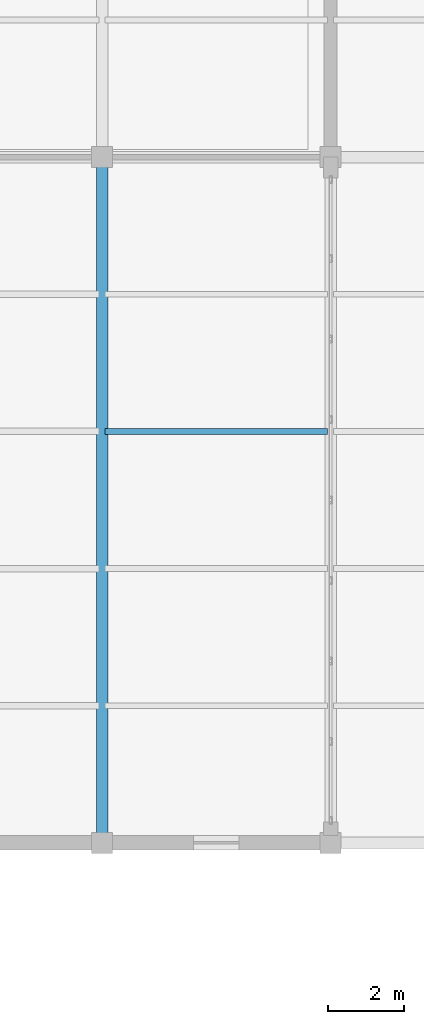
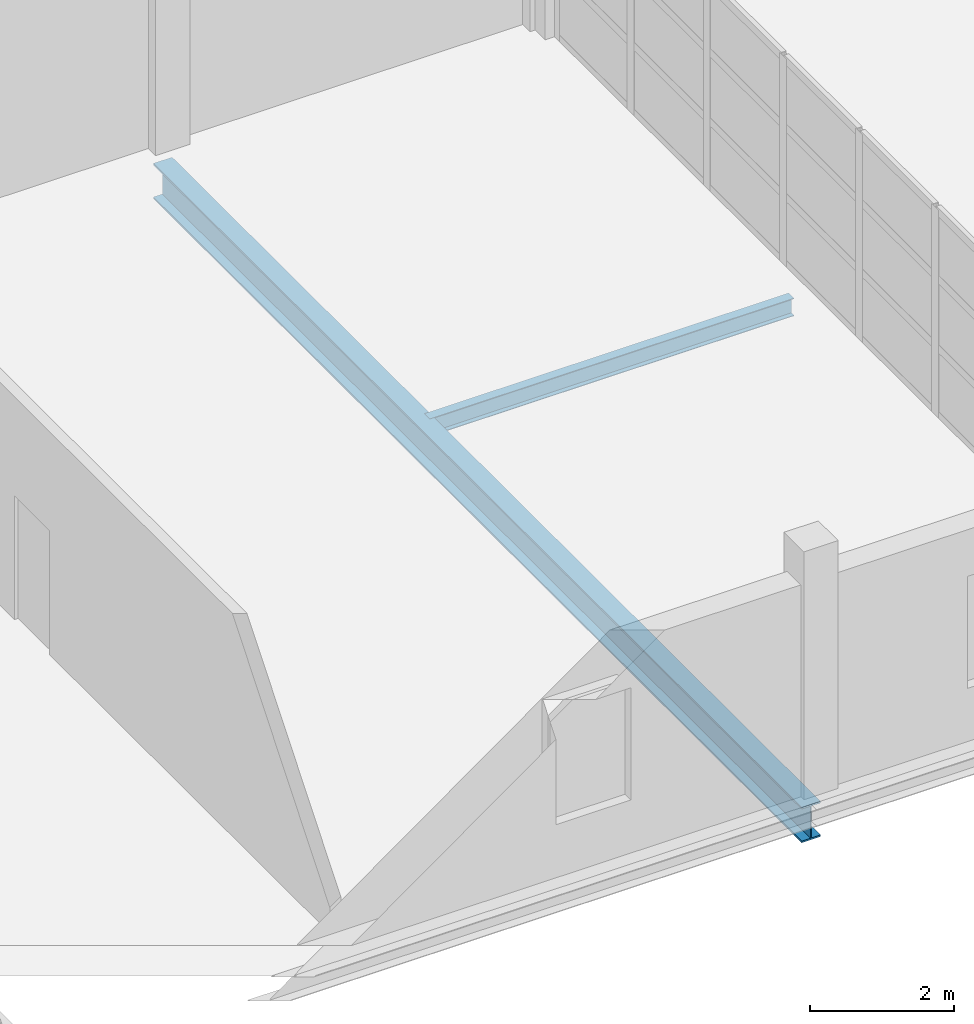
# One storey, part 10 of 86: 2 beams.
"""IFC4 building model written with IfcOpenShell, lengths in metres."""

import ifcopenshell
import ifcopenshell.guid

model = None  # the IFC model being written
_history = None  # IfcOwnerHistory: only IFC2X3 demands one
_inside = {}  # id of a spatial element -> (the spatial element, [elements in it])
_under = {}  # id of a project, library or spatial element -> (it, [spatial elements below it])
_declared = {}  # id of a project -> (the project, [libraries it declares])
_typed = {}  # id of a type object -> (the type object, [elements of that type])
_made_of = {}  # id of a material, layer set ... -> (it, [elements and type objects made of it])


def new_model(schema):
    """Start an empty IFC model of exactly this schema.

    Asked for "IFC4X3", IfcOpenShell would pick the latest addendum, in which some entities
    have other attributes; the version numbers below select the first issue.
    IFC2X3 requires an IfcOwnerHistory on every rooted entity: one is made here for all.
    """
    global model, _history
    if schema == "IFC4X3":
        model = ifcopenshell.file(schema_version=(4, 3, 0, 0))
    else:
        model = ifcopenshell.file(schema=schema)
    _inside.clear()
    _under.clear()
    _declared.clear()
    _typed.clear()
    _made_of.clear()
    _history = None
    if model.schema == "IFC2X3":
        org = make("IfcOrganization", Name="unknown")
        user = make(
            "IfcPersonAndOrganization",
            ThePerson=make("IfcPerson", FamilyName="unknown"),
            TheOrganization=org,
        )
        app = make(
            "IfcApplication",
            ApplicationDeveloper=org,
            Version="unknown",
            ApplicationFullName="unknown",
            ApplicationIdentifier="unknown",
        )
        _history = make(
            "IfcOwnerHistory",
            OwningUser=user,
            OwningApplication=app,
            ChangeAction="ADDED",
            CreationDate=0,
        )
    return model


def make(cls, **values):
    """One entity of the class cls with the attributes given. An attribute that is None is left unset."""
    return model.create_entity(
        cls, **{name: value for name, value in values.items() if value is not None}
    )


def rooted(cls, **values):
    """An entity with a GlobalId (a new one), such as an element, a storey or a relation."""
    return make(cls, GlobalId=ifcopenshell.guid.new(), OwnerHistory=_history, **values)


def si_unit(unit_type, name, prefix=None):
    """IfcSIUnit, for example si_unit("LENGTHUNIT", "METRE", prefix="MILLI")."""
    return make("IfcSIUnit", UnitType=unit_type, Prefix=prefix, Name=name)


def assignment(units):
    """IfcUnitAssignment: the units of a project."""
    return None if units is None else make("IfcUnitAssignment", Units=units)


def point(xyz):
    """IfcCartesianPoint."""
    return None if xyz is None else make("IfcCartesianPoint", Coordinates=xyz)


def direction(xyz):
    """IfcDirection."""
    return None if xyz is None else make("IfcDirection", DirectionRatios=xyz)


def frame(location, z_axis=None, x_axis=None):
    """IfcAxis2Placement3D, a coordinate frame: its origin and axes. An axis left out is left unset."""
    return make(
        "IfcAxis2Placement3D",
        Location=point(location),
        Axis=direction(z_axis),
        RefDirection=direction(x_axis),
    )


def frame_2d(location, x_axis=None):
    """IfcAxis2Placement2D, a coordinate frame in the plane: its origin and x axis."""
    return make(
        "IfcAxis2Placement2D", Location=point(location), RefDirection=direction(x_axis)
    )


def origin():
    """The frame at (0, 0, 0) with its axes left unset."""
    return frame((0.0, 0.0, 0.0))


def origin_2d():
    """The frame at (0, 0) in the plane with its x axis left unset."""
    return frame_2d((0.0, 0.0))


def place(relative_to, where):
    """IfcLocalPlacement: puts the frame where relative to a parent placement (None: the world)."""
    return make(
        "IfcLocalPlacement", PlacementRelTo=relative_to, RelativePlacement=where
    )


def context(
    kind, dimensions, precision=None, world=None, true_north=None, identifier=None
):
    """IfcGeometricRepresentationContext, for example the 3D "Model" context."""
    return make(
        "IfcGeometricRepresentationContext",
        ContextIdentifier=identifier,
        ContextType=kind,
        CoordinateSpaceDimension=dimensions,
        Precision=precision,
        WorldCoordinateSystem=world,
        TrueNorth=true_north,
    )


def subcontext(parent, identifier, kind, view, scale=None):
    """IfcGeometricRepresentationSubContext, for example "Body" below "Model"."""
    return make(
        "IfcGeometricRepresentationSubContext",
        ContextIdentifier=identifier,
        ContextType=kind,
        ParentContext=parent,
        TargetScale=scale,
        TargetView=view,
    )


def project(units=None, contexts=None):
    """IfcProject with its units and contexts."""
    return rooted(
        "IfcProject",
        Name="project",
        RepresentationContexts=contexts,
        UnitsInContext=assignment(units),
    )


def spatial(cls, under=None, at=None, **own):
    """A site, building, storey or space (cls), placed at a placement, below another one or the project."""
    s = rooted(cls, ObjectPlacement=at, **own)
    if under is not None:
        _under.setdefault(under.id(), (under, []))[1].append(s)
    return s


def profile(cls, at=None, kind="AREA", **sizes):
    """A parametric profile (cls). Its sizes go by their IFC names, for example OverallWidth=200.0."""
    return make(cls, ProfileType=kind, Position=at, **sizes)


def i_section(**sizes):
    """IfcIShapeProfileDef."""
    return profile("IfcIShapeProfileDef", **sizes)


def extrude(swept, where, along, depth):
    """IfcExtrudedAreaSolid: the profile swept, set in the frame where, extruded along a direction by depth."""
    return make(
        "IfcExtrudedAreaSolid",
        SweptArea=swept,
        Position=where,
        ExtrudedDirection=direction(along),
        Depth=depth,
    )


def shape(context_of_items, identifier, shape_type, items):
    """IfcShapeRepresentation: the items that make up one representation, for example the "Body"."""
    return make(
        "IfcShapeRepresentation",
        ContextOfItems=context_of_items,
        RepresentationIdentifier=identifier,
        RepresentationType=shape_type,
        Items=items,
    )


def material(Name=None, Category=None):
    """IfcMaterial."""
    return make("IfcMaterial", Name=Name, Category=Category)


def material_profile(
    of_material, cross_section, Name=None, Category=None, Priority=None
):
    """IfcMaterialProfile: a cross section and its material."""
    return make(
        "IfcMaterialProfile",
        Name=Name,
        Material=of_material,
        Profile=cross_section,
        Priority=Priority,
        Category=Category,
    )


def profile_set(profiles, Name=None, composite=None):
    """IfcMaterialProfileSet."""
    return make(
        "IfcMaterialProfileSet",
        Name=Name,
        MaterialProfiles=profiles,
        CompositeProfile=composite,
    )


def made_of(thing, what):
    """Note that an element or type object is made of a material, layer set ...; save() writes the relation."""
    if what is not None:
        _made_of.setdefault(what.id(), (what, []))[1].append(thing)
    return thing


def type_object(cls, material=None, **own):
    """A type object (cls), such as IfcWallType, which elements share."""
    return made_of(rooted(cls, **own), material)


def element(
    cls,
    number,
    at=None,
    inside=None,
    cuts=None,
    type_object=None,
    material=None,
    context=None,
    identifier="Body",
    shape_type=None,
    held_by="IfcProductDefinitionShape",
    body=None,
    shapes=None,
    **own,
):
    """One element of the class cls, such as IfcWall. Its Tag is "e" and its number.

    at: its placement. inside: the storey or other place that contains it. cuts: it is an
    opening in that element (IfcRelVoidsElement). A single representation is given by context,
    identifier, shape_type and body (its items); several are given by shapes. held_by: the class
    of the entity that holds the representations. save() writes the other relations.
    """
    e = rooted(cls, Tag="e%d" % number, ObjectPlacement=at, **own)
    if body is not None:
        shapes = [shape(context, identifier, shape_type, body)]
    if shapes is not None:
        e.Representation = make(held_by, Representations=shapes)
    if inside is not None:
        _inside.setdefault(inside.id(), (inside, []))[1].append(e)
    if cuts is not None:
        rooted(
            "IfcRelVoidsElement", RelatingBuildingElement=cuts, RelatedOpeningElement=e
        )
    if type_object is not None:
        _typed.setdefault(type_object.id(), (type_object, []))[1].append(e)
    return made_of(e, material)


def aggregate(whole, parts):
    """IfcRelAggregates: a whole, such as a stair, and the parts it consists of."""
    return rooted("IfcRelAggregates", RelatingObject=whole, RelatedObjects=parts)


def save(model, path):
    """Write the relations noted so far, then the file.

    IfcRelAggregates (storeys below a building ...), IfcRelContainedInSpatialStructure (elements
    in a storey), IfcRelDefinesByType, IfcRelAssociatesMaterial and IfcRelDeclares: one each for
    every whole, place, type object, material and project.
    """
    for whole, parts in _under.values():
        aggregate(whole, parts)
    for where, things in _inside.values():
        rooted(
            "IfcRelContainedInSpatialStructure",
            RelatedElements=things,
            RelatingStructure=where,
        )
    for kind, things in _typed.values():
        rooted("IfcRelDefinesByType", RelatedObjects=things, RelatingType=kind)
    for what, things in _made_of.values():
        rooted("IfcRelAssociatesMaterial", RelatedObjects=things, RelatingMaterial=what)
    for by, libraries in _declared.values():
        rooted("IfcRelDeclares", RelatingContext=by, RelatedDefinitions=libraries)
    model.write(path)


model = new_model("IFC4")

# Units and contexts
model_context = context("Model", 3, precision=1e-05, world=origin(), true_north=direction((0.0, 1.0)))
body_context = subcontext(model_context, "Body", "Model", "MODEL_VIEW")
ifc_project = project(units=[si_unit("LENGTHUNIT", "METRE"), si_unit("AREAUNIT", "SQUARE_METRE"), si_unit("VOLUMEUNIT", "CUBIC_METRE"), si_unit("PLANEANGLEUNIT", "RADIAN"), si_unit("MASSUNIT", "GRAM", prefix="KILO")], contexts=[model_context])

# Site, building, storey
site_placement = place(None, origin())
site = spatial("IfcSite", under=ifc_project, at=site_placement, CompositionType="ELEMENT")
building_placement = place(site_placement, origin())
building = spatial("IfcBuilding", under=site, at=building_placement, Name="Zilviju Railside Exhibition Hall", CompositionType="ELEMENT")
storey_placement = place(building_placement, frame((0.0, 0.0, 12.60009765625)))
storey = spatial("IfcBuildingStorey", under=building, at=storey_placement, Name="L04", CompositionType="ELEMENT", Elevation=12.60009765625)

# Beams
ifc_material = material(Name="Steel S355J2", Category="steel")
ifc_material_profile_1 = material_profile(ifc_material, i_section(OverallWidth=0.300048828125, OverallDepth=0.60009765625, WebThickness=0.015380859375, FlangeThickness=0.030029296875, at=origin_2d()), Name="HEB 600")
ifc_profile_set_1 = profile_set([ifc_material_profile_1], Name="Steel S355J2")
beam_type_1 = type_object("IfcBeamType", Name="BM-HEB600", PredefinedType="BEAM", material=ifc_profile_set_1)
beam_1_placement = place(storey_placement, frame((36.0, 84.0, -0.64013671875), z_axis=(0.0, 1.0, 0.0), x_axis=(-1.0, 0.0, 0.0)))
element("IfcBeam", 1, at=beam_1_placement, inside=storey, type_object=beam_type_1, Name="Transverse Girder L04 X=36.0 (84.0..102.0)", PredefinedType="BEAM", context=body_context, shape_type="SweptSolid", body=[
    extrude(i_section(OverallWidth=0.300048828125, OverallDepth=0.60009765625, WebThickness=0.015380859375, FlangeThickness=0.030029296875, at=origin_2d()), origin(), (0.0, 0.0, 1.0), 18.0),
])
ifc_material_profile_2 = material_profile(ifc_material, i_section(OverallWidth=0.14990234375, OverallDepth=0.300048828125, WebThickness=0.007080078125, FlangeThickness=0.0107421875, at=origin_2d()), Name="IPE 300")
ifc_profile_set_2 = profile_set([ifc_material_profile_2], Name="Steel S355J2")
beam_type_2 = type_object("IfcBeamType", Name="BM-IPE300", PredefinedType="JOIST", material=ifc_profile_set_2)
beam_2_placement = place(storey_placement, frame((36.080078125, 94.800048828125, -0.489990234375), z_axis=(1.0, 0.0, 0.0), x_axis=(0.0, 1.0, 0.0)))
element("IfcBeam", 2, at=beam_2_placement, inside=storey, type_object=beam_type_2, Name="Composite Floor Joist L04 Y=94.80 (36.0..42.0)", PredefinedType="JOIST", context=body_context, shape_type="SweptSolid", body=[
    extrude(i_section(OverallWidth=0.14990234375, OverallDepth=0.300048828125, WebThickness=0.007080078125, FlangeThickness=0.0107421875, at=origin_2d()), origin(), (0.0, 0.0, 1.0), 5.83984375),
])

save(model, "model.ifc")
